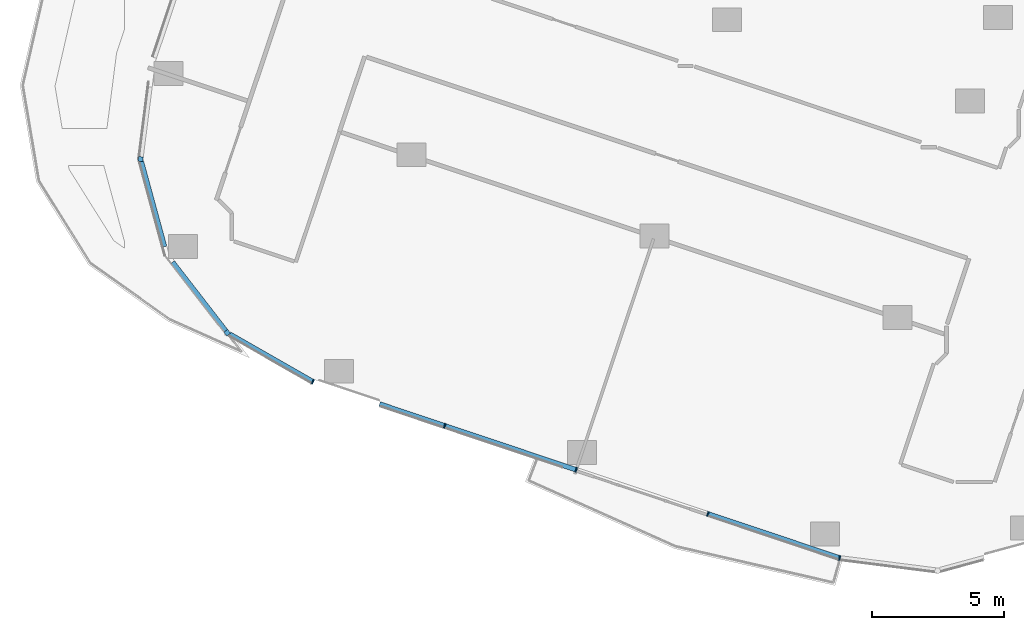
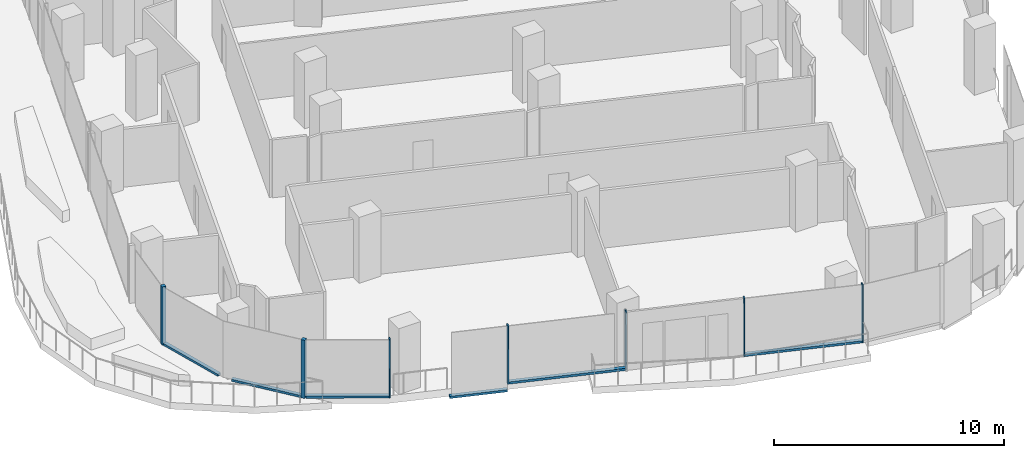
# One storey, part 2 of 34: 13 members, 5 elements without a shape of their own.
"""IFC4 building model written with IfcOpenShell, lengths in metres."""

from ifc_helpers import new_model, si_unit, direction, frame, origin, origin_2d, place, context, subcontext, project, spatial, rectangle, extrude, material, material_profile, profile_set, type_object, element, aggregate, save


model = new_model("IFC4")

# Units and contexts
model_context = context("Model", 3, precision=1e-05, world=origin(), true_north=direction((0.0, 1.0)))
body_context = subcontext(model_context, "Body", "Model", "MODEL_VIEW")
ifc_project = project(units=[si_unit("LENGTHUNIT", "METRE"), si_unit("AREAUNIT", "SQUARE_METRE"), si_unit("VOLUMEUNIT", "CUBIC_METRE"), si_unit("PLANEANGLEUNIT", "RADIAN"), si_unit("MASSUNIT", "GRAM", prefix="KILO")], contexts=[model_context])

# Site, building, storey
site_placement = place(None, origin())
site = spatial("IfcSite", under=ifc_project, at=site_placement, CompositionType="ELEMENT")
building_placement = place(site_placement, origin())
building = spatial("IfcBuilding", under=site, at=building_placement, Name="Orlundy Tower", CompositionType="ELEMENT")
storey_placement = place(building_placement, frame((0.0, 0.0, 145.60009765625)))
storey = spatial("IfcBuildingStorey", under=building, at=storey_placement, Name="L37", CompositionType="ELEMENT", Elevation=145.60009765625)

# Curtain wall, member
ifc_material_1 = material(Name="Aluminium bronze anodised", Category="aluminium")
curtain_wall_type = type_object("IfcCurtainWallType", Name="CW1 wall", PredefinedType="NOTDEFINED", material=ifc_material_1)
curtain_wall_1_placement = place(storey_placement, origin())
curtain_wall_1 = element("IfcCurtainWall", 1, at=curtain_wall_1_placement, inside=storey, type_object=curtain_wall_type, Name="CW1 run 09", PredefinedType="NOTDEFINED")
ifc_material_2 = material(Name="Aluminium bronze anodised", Category="aluminium")
ifc_material_profile_1 = material_profile(ifc_material_2, rectangle(XDim=0.179931640625, YDim=0.179931640625, at=origin_2d()), Name="CW1 corner post 180x180")
ifc_profile_set_1 = profile_set([ifc_material_profile_1], Name="Aluminium bronze anodised")
member_type_1 = type_object("IfcMemberType", Name="CW1 corner post 180x180", PredefinedType="MULLION", material=ifc_profile_set_1)
member_1_placement = place(storey_placement, frame((-32.115234375, -51.3232421875, 0.0), z_axis=(0.0, 0.0, 1.0), x_axis=(-0.790614183516, -0.61231463548, 0.0)))
member_1 = element("IfcMember", 2, at=member_1_placement, type_object=member_type_1, Name="CW1 mullion 23", PredefinedType="MULLION", context=body_context, shape_type="SweptSolid", body=[
    extrude(rectangle(XDim=0.179931640625, YDim=0.179931640625, at=origin_2d()), origin(), (0.0, 0.0, 1.0), 3.099853515625),
])

curtain_wall_2_placement = place(storey_placement, origin())
curtain_wall_2 = element("IfcCurtainWall", 3, at=curtain_wall_2_placement, inside=storey, type_object=curtain_wall_type, Name="CW1 run 011", PredefinedType="NOTDEFINED")
member_2_placement = place(storey_placement, frame((-35.390625, -44.75341796875, 0.0), z_axis=(0.0, 0.0, 1.0), x_axis=(-0.992031053136, 0.125993609416, 0.0)))
member_2 = element("IfcMember", 4, at=member_2_placement, type_object=member_type_1, Name="CW1 mullion 25", PredefinedType="MULLION", context=body_context, shape_type="SweptSolid", body=[
    extrude(rectangle(XDim=0.179931640625, YDim=0.179931640625, at=origin_2d()), origin(), (0.0, 0.0, 1.0), 3.099853515625),
])
aggregate(curtain_wall_2, [member_2])

# Curtain wall, members
curtain_wall_3_placement = place(storey_placement, origin())
curtain_wall_3 = element("IfcCurtainWall", 5, at=curtain_wall_3_placement, inside=storey, type_object=curtain_wall_type, Name="CW1 run 07", PredefinedType="NOTDEFINED")
ifc_material_3 = material(Name="Aluminium bronze anodised", Category="aluminium")
ifc_material_profile_2 = material_profile(ifc_material_3, rectangle(XDim=0.179931640625, YDim=0.050048828125, at=origin_2d()), Name="CW1 mullion 50x180")
ifc_profile_set_2 = profile_set([ifc_material_profile_2], Name="Aluminium bronze anodised")
member_type_2 = type_object("IfcMemberType", Name="CW1 mullion 50x180", PredefinedType="MULLION", material=ifc_profile_set_2)
member_3_placement = place(storey_placement, frame((-8.942138671875, -59.84521484375, 0.0), z_axis=(0.0, 0.0, 1.0), x_axis=(-0.222844071431, -0.974854101816, 0.0)))
member_3 = element("IfcMember", 6, at=member_3_placement, type_object=member_type_2, Name="CW1 mullion 18", PredefinedType="MULLION", context=body_context, shape_type="SweptSolid", body=[
    extrude(rectangle(XDim=0.179931640625, YDim=0.050048828125, at=origin_2d()), origin(), (0.0, 0.0, 1.0), 3.099853515625),
])
member_4_placement = place(storey_placement, frame((-13.92919921875, -58.176513671875, 0.0), z_axis=(0.0, 0.0, 1.0), x_axis=(-0.317284709186, -0.948330329219, 0.0)))
member_4 = element("IfcMember", 7, at=member_4_placement, type_object=member_type_2, Name="CW1 mullion 19", PredefinedType="MULLION", context=body_context, shape_type="SweptSolid", body=[
    extrude(rectangle(XDim=0.179931640625, YDim=0.050048828125, at=origin_2d()), origin(), (0.0, 0.0, 1.0), 3.099853515625),
])
member_5_placement = place(storey_placement, frame((-18.907958984375, -56.5107421875, 0.0), z_axis=(0.0, 0.0, 1.0), x_axis=(-0.317284709186, -0.948330329219, 0.0)))
member_5 = element("IfcMember", 8, at=member_5_placement, type_object=member_type_2, Name="CW1 mullion 20", PredefinedType="MULLION", context=body_context, shape_type="SweptSolid", body=[
    extrude(rectangle(XDim=0.179931640625, YDim=0.050048828125, at=origin_2d()), origin(), (0.0, 0.0, 1.0), 3.099853515625),
])
member_6_placement = place(storey_placement, frame((-23.88671875, -54.84521484375, 0.0), z_axis=(0.0, 0.0, 1.0), x_axis=(-0.317284709186, -0.948330329219, 0.0)))
member_6 = element("IfcMember", 9, at=member_6_placement, type_object=member_type_2, Name="CW1 mullion 21", PredefinedType="MULLION", context=body_context, shape_type="SweptSolid", body=[
    extrude(rectangle(XDim=0.179931640625, YDim=0.050048828125, at=origin_2d()), origin(), (0.0, 0.0, 1.0), 3.099853515625),
])

# Curtain wall, member
curtain_wall_4_placement = place(storey_placement, origin())
curtain_wall_4 = element("IfcCurtainWall", 10, at=curtain_wall_4_placement, inside=storey, type_object=curtain_wall_type, Name="CW1 run 08", PredefinedType="NOTDEFINED")
member_7_placement = place(storey_placement, frame((-28.8740234375, -53.176513671875, 0.0), z_axis=(0.0, 0.0, 1.0), x_axis=(-0.408800504926, -0.912623770878, 0.0)))
member_7 = element("IfcMember", 11, at=member_7_placement, type_object=member_type_2, Name="CW1 mullion 22", PredefinedType="MULLION", context=body_context, shape_type="SweptSolid", body=[
    extrude(rectangle(XDim=0.179931640625, YDim=0.050048828125, at=origin_2d()), origin(), (0.0, 0.0, 1.0), 3.099853515625),
])

# Member
ifc_material_4 = material(Name="Aluminium bronze anodised", Category="aluminium")
ifc_material_profile_3 = material_profile(ifc_material_4, rectangle(XDim=0.179931640625, YDim=0.1201171875, at=origin_2d()), Name="CW1 transom 180x120")
ifc_profile_set_3 = profile_set([ifc_material_profile_3], Name="Aluminium bronze anodised")
member_type_3 = type_object("IfcMemberType", Name="CW1 transom 180x120", PredefinedType="USERDEFINED", material=ifc_profile_set_3)
member_8_placement = place(storey_placement, frame((-8.966064453125, -59.837158203125, 0.059814453125), z_axis=(-0.948331165586, 0.317282209364, 0.0), x_axis=(-0.317282209364, -0.948331165586, 0.0)))
member_8 = element("IfcMember", 12, at=member_8_placement, type_object=member_type_3, Name="CW1 transom", ObjectType="TRANSOM", PredefinedType="USERDEFINED", context=body_context, shape_type="SweptSolid", body=[
    extrude(rectangle(XDim=0.179931640625, YDim=0.1201171875, at=origin_2d()), origin(), (0.0, 0.0, 1.0), 5.20849609375),
])

member_9_placement = place(storey_placement, frame((-18.931884765625, -56.5029296875, 0.059814453125), z_axis=(-0.948325862879, 0.31729805829, 0.0), x_axis=(-0.31729805829, -0.948325862879, 0.0)))
member_9 = element("IfcMember", 13, at=member_9_placement, type_object=member_type_3, Name="CW1 transom", ObjectType="TRANSOM", PredefinedType="USERDEFINED", context=body_context, shape_type="SweptSolid", body=[
    extrude(rectangle(XDim=0.179931640625, YDim=0.1201171875, at=origin_2d()), origin(), (0.0, 0.0, 1.0), 5.199951171875),
])

member_10_placement = place(storey_placement, frame((-23.910400390625, -54.837158203125, -0.340087890625), z_axis=(-0.948340896613, 0.317253122618, 0.0), x_axis=(-0.317253122618, -0.948340896613, 0.0)))
member_10 = element("IfcMember", 14, at=member_10_placement, type_object=member_type_3, Name="CW1 transom", ObjectType="TRANSOM", PredefinedType="USERDEFINED", context=body_context, shape_type="SweptSolid", body=[
    extrude(rectangle(XDim=0.179931640625, YDim=0.1201171875, at=origin_2d()), origin(), (0.0, 0.0, 1.0), 2.571044921875),
])

aggregate(curtain_wall_3, [member_3, member_4, member_5, member_6, member_8, member_9, member_10])

member_11_placement = place(storey_placement, frame((-28.895751953125, -53.1640625, 0.059814453125), z_axis=(-0.868118305062, 0.496357339441, 0.0), x_axis=(-0.496357339441, -0.868118305062, 0.0)))
member_11 = element("IfcMember", 15, at=member_11_placement, type_object=member_type_3, Name="CW1 transom", ObjectType="TRANSOM", PredefinedType="USERDEFINED", context=body_context, shape_type="SweptSolid", body=[
    extrude(rectangle(XDim=0.179931640625, YDim=0.1201171875, at=origin_2d()), origin(), (0.0, 0.0, 1.0), 3.611328125),
])

aggregate(curtain_wall_4, [member_7, member_11])

member_12_placement = place(storey_placement, frame((-32.17041015625, -51.252197265625, 0.059814453125), z_axis=(-0.612276659315, 0.790643593826, 0.0), x_axis=(-0.790643593826, -0.612276659315, 0.0)))
member_12 = element("IfcMember", 16, at=member_12_placement, type_object=member_type_3, Name="CW1 transom", ObjectType="TRANSOM", PredefinedType="USERDEFINED", context=body_context, shape_type="SweptSolid", body=[
    extrude(rectangle(XDim=0.179931640625, YDim=0.1201171875, at=origin_2d()), origin(), (0.0, 0.0, 1.0), 3.28369140625),
])

aggregate(curtain_wall_1, [member_1, member_12])

# Curtain wall, member
curtain_wall_5_placement = place(storey_placement, origin())
curtain_wall_5 = element("IfcCurtainWall", 17, at=curtain_wall_5_placement, inside=storey, type_object=curtain_wall_type, Name="CW1 run 010", PredefinedType="NOTDEFINED")
member_13_placement = place(storey_placement, frame((-34.488037109375, -48.067138671875, 0.059814453125), z_axis=(-0.262795481313, 0.964851561123, 0.0), x_axis=(-0.964851561123, -0.262795481313, 0.0)))
member_13 = element("IfcMember", 18, at=member_13_placement, type_object=member_type_3, Name="CW1 transom", ObjectType="TRANSOM", PredefinedType="USERDEFINED", context=body_context, shape_type="SweptSolid", body=[
    extrude(rectangle(XDim=0.179931640625, YDim=0.1201171875, at=origin_2d()), origin(), (0.0, 0.0, 1.0), 3.3369140625),
])
aggregate(curtain_wall_5, [member_13])

save(model, "model.ifc")
